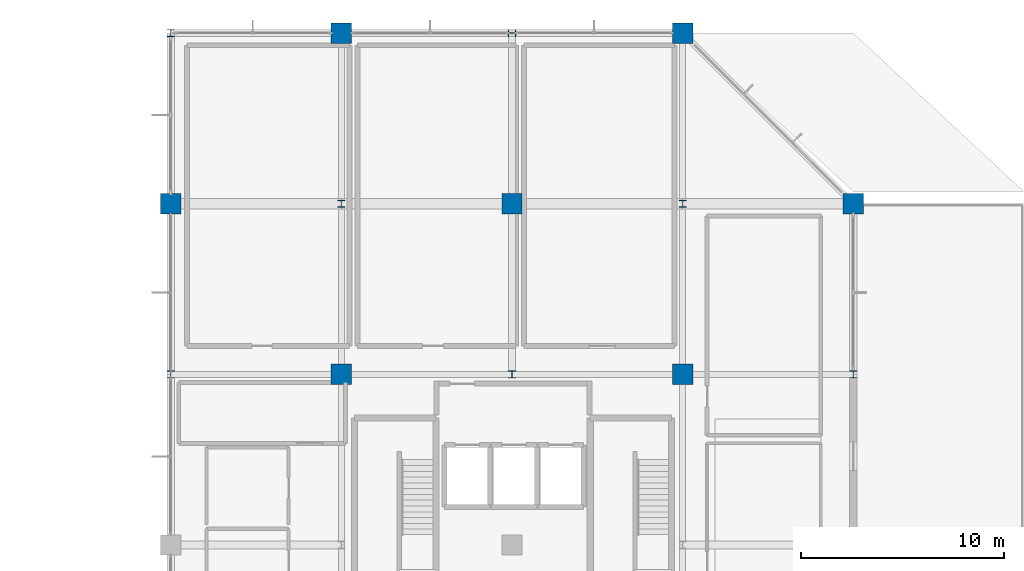
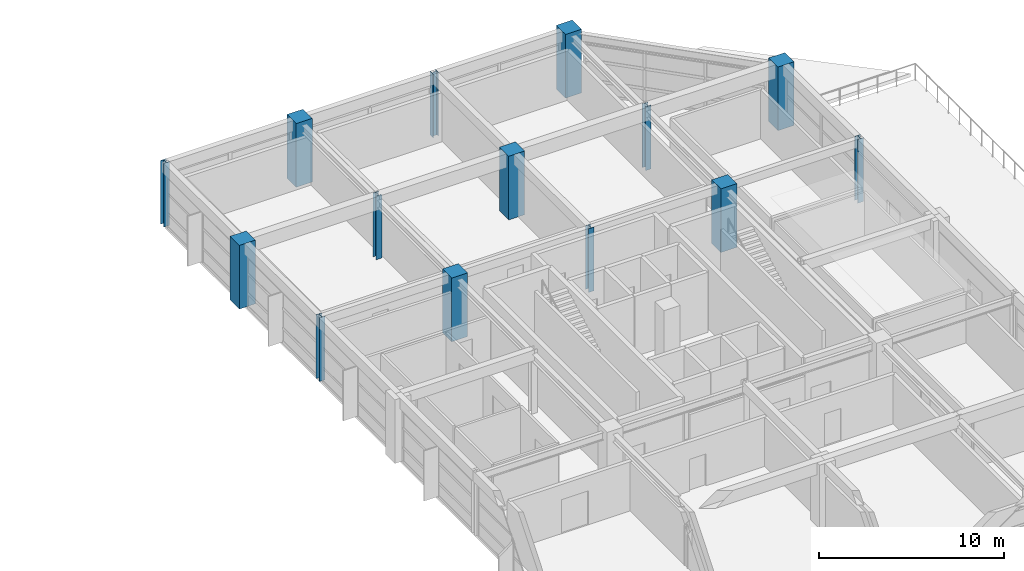
# One storey, part 2 of 21: 14 columns.
"""IFC4 building model written with IfcOpenShell, lengths in metres."""

from ifc_helpers import new_model, si_unit, direction, frame, origin, origin_2d, place, context, subcontext, project, spatial, rectangle, i_section, extrude, material, material_profile, profile_set, type_object, element, save


model = new_model("IFC4")

# Units and contexts
model_context = context("Model", 3, precision=1e-05, world=origin(), true_north=direction((0.0, 1.0)))
body_context = subcontext(model_context, "Body", "Model", "MODEL_VIEW")
ifc_project = project(units=[si_unit("LENGTHUNIT", "METRE"), si_unit("AREAUNIT", "SQUARE_METRE"), si_unit("VOLUMEUNIT", "CUBIC_METRE"), si_unit("PLANEANGLEUNIT", "RADIAN"), si_unit("MASSUNIT", "GRAM", prefix="KILO")], contexts=[model_context])

# Site, building, storey
site_placement = place(None, origin())
site = spatial("IfcSite", under=ifc_project, at=site_placement, CompositionType="ELEMENT")
building_placement = place(site_placement, origin())
building = spatial("IfcBuilding", under=site, at=building_placement, Name="Xuanlan Plaza Opera House", CompositionType="ELEMENT")
storey_placement = place(building_placement, frame((0.0, 0.0, 44.699951171875)))
storey = spatial("IfcBuildingStorey", under=building, at=storey_placement, Name="L10", CompositionType="ELEMENT", Elevation=44.699951171875)

# Columns
ifc_material_1 = material(Name="Concrete C50", Category="concrete")
ifc_material_profile_1 = material_profile(ifc_material_1, rectangle(XDim=1.0, YDim=1.0, at=origin_2d()), Name="RC-COL 1000x1000")
ifc_profile_set_1 = profile_set([ifc_material_profile_1], Name="Concrete C50")
column_type_1 = type_object("IfcColumnType", Name="STR-COL-C-04", PredefinedType="COLUMN", material=ifc_profile_set_1)
for number, where, z_axis, x_axis, name in (
    (1, (126.0, 75.60009765625, 0.0), (0.0, 0.0, 1.0), (1.0, 0.0, 0.0), "Column L10 16-J"),
    (2, (134.39990234375, 67.199951171875, 0.0), (0.0, 0.0, 1.0), (1.0, 0.0, 0.0), "Column L10 17-I"),
    (3, (134.39990234375, 84.0, 0.0), (0.0, 0.0, 1.0), (1.0, 0.0, 0.0), "Column L10 17-K"),
    (4, (142.800048828125, 75.60009765625, 0.0), (0.0, 0.0, 1.0), (1.0, 0.0, 0.0), "Column L10 18-J"),
    (5, (151.199951171875, 67.199951171875, 0.0), (0.0, 0.0, 1.0), (1.0, 0.0, 0.0), "Column L10 19-I"),
    (6, (151.199951171875, 84.0, 0.0), (0.0, 0.0, 1.0), (1.0, 0.0, 0.0), "Column L10 19-K"),
    (7, (159.60009765625, 75.60009765625, 0.0), (0.0, 0.0, 1.0), (1.0, 0.0, 0.0), "Column L10 20-J"),
):
    element("IfcColumn", number, at=place(storey_placement, frame(where, z_axis=z_axis, x_axis=x_axis)), inside=storey, type_object=column_type_1, Name=name, PredefinedType="COLUMN", context=body_context, shape_type="SweptSolid", body=[
        extrude(rectangle(XDim=1.0, YDim=1.0, at=origin_2d()), origin(), (0.0, 0.0, 1.0), 4.199951171875),
    ])
ifc_material_2 = material(Name="Steel Q355B", Category="steel")
ifc_material_profile_2 = material_profile(ifc_material_2, i_section(OverallWidth=0.35009765625, OverallDepth=0.35009765625, WebThickness=0.011962890625, FlangeThickness=0.01904296875, FilletRadius=0.02001953125, at=origin_2d()), Name="HW 350x350x12x19")
ifc_profile_set_2 = profile_set([ifc_material_profile_2], Name="Steel Q355B")
column_type_2 = type_object("IfcColumnType", Name="STR-COL-C-15", PredefinedType="COLUMN", material=ifc_profile_set_2)
for number, where, z_axis, x_axis, name in (
    (8, (126.0, 67.199951171875, 0.0), (0.0, 0.0, 1.0), (1.0, 0.0, 0.0), "Column L10 16-I"),
    (9, (126.0, 84.0, 0.0), (0.0, 0.0, 1.0), (1.0, 0.0, 0.0), "Column L10 16-K"),
    (10, (134.39990234375, 75.60009765625, 0.0), (0.0, 0.0, 1.0), (1.0, 0.0, 0.0), "Column L10 17-J"),
    (11, (142.800048828125, 67.199951171875, 0.0), (0.0, 0.0, 1.0), (1.0, 0.0, 0.0), "Column L10 18-I"),
    (12, (142.800048828125, 84.0, 0.0), (0.0, 0.0, 1.0), (0.0, 1.0, 0.0), "Column L10 18-K"),
    (13, (151.199951171875, 75.60009765625, 0.0), (0.0, 0.0, 1.0), (1.0, 0.0, 0.0), "Column L10 19-J"),
    (14, (159.60009765625, 67.199951171875, 0.0), (0.0, 0.0, 1.0), (1.0, 0.0, 0.0), "Column L10 20-I"),
):
    element("IfcColumn", number, at=place(storey_placement, frame(where, z_axis=z_axis, x_axis=x_axis)), inside=storey, type_object=column_type_2, Name=name, PredefinedType="COLUMN", context=body_context, shape_type="SweptSolid", body=[
        extrude(i_section(OverallWidth=0.35009765625, OverallDepth=0.35009765625, WebThickness=0.011962890625, FlangeThickness=0.01904296875, FilletRadius=0.02001953125, at=origin_2d()), origin(), (0.0, 0.0, 1.0), 4.199951171875),
    ])

save(model, "model.ifc")
